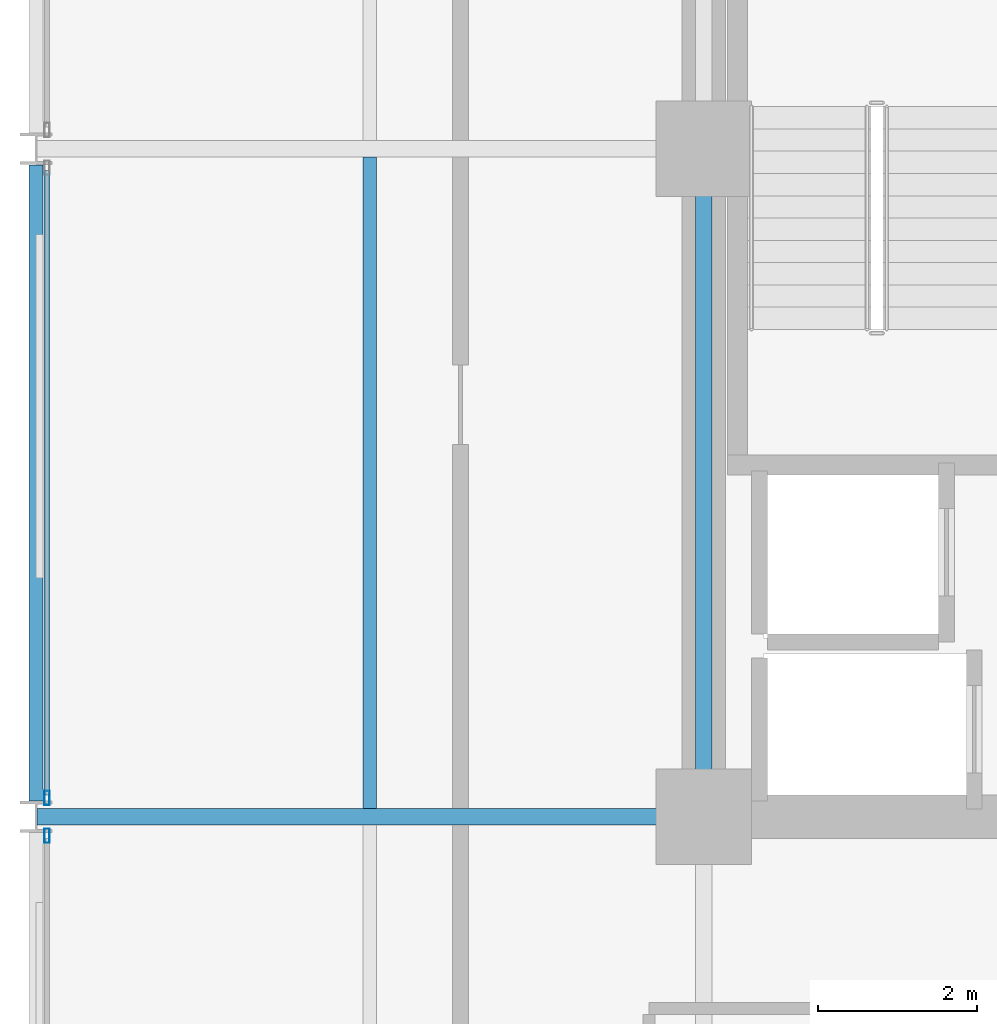
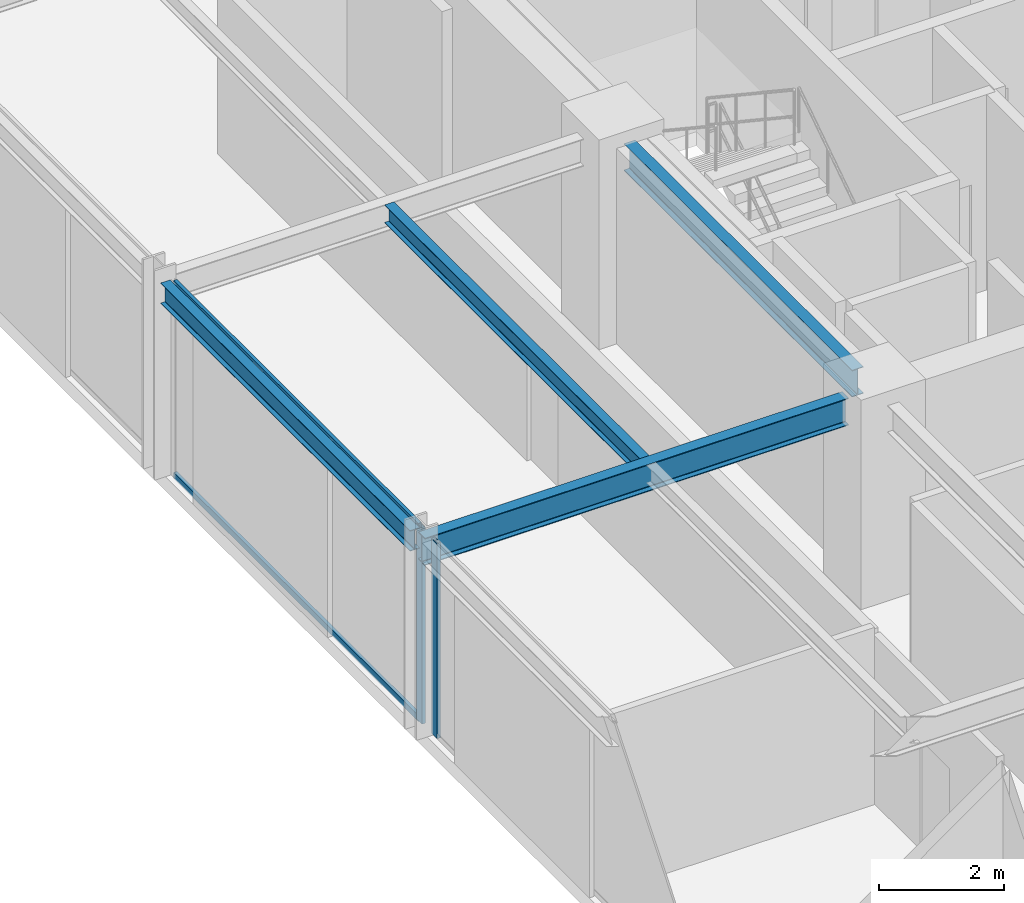
# One storey, part 10 of 29: 4 beams, 4 members, 2 elements without a shape of their own.
"""IFC4 building model written with IfcOpenShell, lengths in metres."""

from ifc_helpers import new_model, si_unit, direction, frame, origin, origin_2d, place, context, subcontext, project, spatial, hollow_rectangle, i_section, extrude, material, layer, layer_set, material_profile, profile_set, type_object, element, aggregate, save


model = new_model("IFC4")

# Units and contexts
model_context = context("Model", 3, precision=1e-05, world=origin(), true_north=direction((0.0, 1.0)))
body_context = subcontext(model_context, "Body", "Model", "MODEL_VIEW")
ifc_project = project(units=[si_unit("LENGTHUNIT", "METRE"), si_unit("AREAUNIT", "SQUARE_METRE"), si_unit("VOLUMEUNIT", "CUBIC_METRE"), si_unit("PLANEANGLEUNIT", "RADIAN"), si_unit("MASSUNIT", "GRAM", prefix="KILO")], contexts=[model_context])

# Site, building, storey
site_placement = place(None, origin())
site = spatial("IfcSite", under=ifc_project, at=site_placement, CompositionType="ELEMENT")
building_placement = place(site_placement, origin())
building = spatial("IfcBuilding", under=site, at=building_placement, Name="Nerrivon Quay Data Exchange", CompositionType="ELEMENT")
storey_placement = place(building_placement, frame((0.0, 0.0, 145.89990234375)))
storey = spatial("IfcBuildingStorey", under=building, at=storey_placement, Name="L34", CompositionType="ELEMENT", Elevation=145.89990234375)

# Beams
ifc_material_1 = material(Name="Steel Grade 350", Category="steel")
ifc_material_profile_1 = material_profile(ifc_material_1, i_section(OverallWidth=0.208984375, OverallDepth=0.532958984375, WebThickness=0.01025390625, FlangeThickness=0.015625, FilletRadius=0.013916015625, at=origin_2d()), Name="530UB92.4")
ifc_profile_set_1 = profile_set([ifc_material_profile_1], Name="Steel Grade 350")
beam_type_1 = type_object("IfcBeamType", Name="BM-G3-530UB92", PredefinedType="BEAM", material=ifc_profile_set_1)
beam_1_placement = place(storey_placement, frame((0.012451171875, 25.199951171875, 3.55859375), z_axis=(1.0, 0.0, 0.0), x_axis=(0.0, 1.0, 0.0)))
element("IfcBeam", 1, at=beam_1_placement, inside=storey, type_object=beam_type_1, Name="L34 EW Girder Y=25.2 (0.0..8.4)", PredefinedType="BEAM", context=body_context, shape_type="SweptSolid", body=[
    extrude(i_section(OverallWidth=0.208984375, OverallDepth=0.532958984375, WebThickness=0.01025390625, FlangeThickness=0.015625, FilletRadius=0.013916015625, at=origin_2d()), origin(), (0.0, 0.0, 1.0), 7.84765625),
])
ifc_material_profile_2 = material_profile(ifc_material_1, i_section(OverallWidth=0.208984375, OverallDepth=0.528076171875, WebThickness=0.009521484375, FlangeThickness=0.01318359375, FilletRadius=0.013916015625, at=origin_2d()), Name="530UB82.0")
ifc_profile_set_2 = profile_set([ifc_material_profile_2], Name="Steel Grade 350")
beam_type_2 = type_object("IfcBeamType", Name="BM-G4-530UB82", PredefinedType="BEAM", material=ifc_profile_set_2)
beam_2_placement = place(storey_placement, frame((8.39990234375, 25.739990234375, 3.56103515625), z_axis=(0.0, 1.0, 0.0), x_axis=(-1.0, 0.0, 0.0)))
element("IfcBeam", 2, at=beam_2_placement, inside=storey, type_object=beam_type_2, Name="L34 NS Girder X=8.4 (25.2..33.6)", PredefinedType="BEAM", context=body_context, shape_type="SweptSolid", body=[
    extrude(i_section(OverallWidth=0.208984375, OverallDepth=0.528076171875, WebThickness=0.009521484375, FlangeThickness=0.01318359375, FilletRadius=0.013916015625, at=origin_2d()), origin(), (0.0, 0.0, 1.0), 7.320068359375),
])
ifc_material_profile_3 = material_profile(ifc_material_1, i_section(OverallWidth=0.1708984375, OverallDepth=0.35595703125, WebThickness=0.00732421875, FlangeThickness=0.011474609375, FilletRadius=0.011474609375, at=origin_2d()), Name="360UB50.7")
ifc_profile_set_3 = profile_set([ifc_material_profile_3], Name="Steel Grade 350")
beam_type_3 = type_object("IfcBeamType", Name="BM-J4-360UB51", PredefinedType="JOIST", material=ifc_profile_set_3)
beam_3_placement = place(storey_placement, frame((4.199951171875, 25.304443359375, 3.647216796875), z_axis=(0.0, 1.0, 0.0), x_axis=(-1.0, 0.0, 0.0)))
element("IfcBeam", 3, at=beam_3_placement, inside=storey, type_object=beam_type_3, Name="L34 Secondary Joist X=4.2 (25.2..33.6)", PredefinedType="JOIST", context=body_context, shape_type="SweptSolid", body=[
    extrude(i_section(OverallWidth=0.1708984375, OverallDepth=0.35595703125, WebThickness=0.00732421875, FlangeThickness=0.011474609375, FilletRadius=0.011474609375, at=origin_2d()), origin(), (0.0, 0.0, 1.0), 8.191162109375),
])
ifc_material_profile_4 = material_profile(ifc_material_1, i_section(OverallWidth=0.177978515625, OverallDepth=0.403076171875, WebThickness=0.007568359375, FlangeThickness=0.010986328125, FilletRadius=0.011474609375, at=origin_2d()), Name="410UB53.7")
ifc_profile_set_4 = profile_set([ifc_material_profile_4], Name="Steel Grade 350")
beam_type_4 = type_object("IfcBeamType", Name="BM-SP2-410UB54", PredefinedType="SPANDREL", material=ifc_profile_set_4)
beam_4_placement = place(storey_placement, frame((0.0, 25.39990234375, 3.62353515625), z_axis=(0.0, 1.0, 0.0), x_axis=(-1.0, 0.0, 0.0)))
element("IfcBeam", 4, at=beam_4_placement, inside=storey, type_object=beam_type_4, Name="L34 NS Girder X=0.0 (25.2..33.6)", PredefinedType="SPANDREL", context=body_context, shape_type="SweptSolid", body=[
    extrude(i_section(OverallWidth=0.177978515625, OverallDepth=0.403076171875, WebThickness=0.007568359375, FlangeThickness=0.010986328125, FilletRadius=0.011474609375, at=origin_2d()), origin(), (0.0, 0.0, 1.0), 8.0),
])

# Curtain wall, member
ifc_material_2 = material(Name="Anodised aluminium 6063-T6", Category="aluminium")
ifc_layer = layer(ifc_material_2, 0.2099609375)
ifc_layer_set = layer_set([ifc_layer], Name="Anodised aluminium 6063-T6")
curtain_wall_type = type_object("IfcCurtainWallType", Name="CW-SYS-02", PredefinedType="NOTDEFINED", material=ifc_layer_set)
curtain_wall_1_placement = place(storey_placement, origin())
curtain_wall_1 = element("IfcCurtainWall", 5, at=curtain_wall_1_placement, inside=storey, type_object=curtain_wall_type, Name="L34 Unitised Curtain Wall 13", PredefinedType="NOTDEFINED")
ifc_material_profile_5 = material_profile(ifc_material_2, hollow_rectangle(XDim=0.06494140625, YDim=0.179931640625, WallThickness=0.00341796875, at=origin_2d()), Name="ALU-MULL-180x65")
ifc_profile_set_5 = profile_set([ifc_material_profile_5], Name="Anodised aluminium 6063-T6")
member_type_1 = type_object("IfcMemberType", Name="CWM-180x65", PredefinedType="MULLION", material=ifc_profile_set_5)
member_1_placement = place(storey_placement, frame((0.139892578125, 24.96240234375, 0.0), z_axis=(0.0, 0.0, 1.0), x_axis=(-1.0, 0.0, 0.0)))
member_1 = element("IfcMember", 6, at=member_1_placement, type_object=member_type_1, Name="CW02 mullion 2", PredefinedType="MULLION", context=body_context, shape_type="SweptSolid", body=[
    extrude(hollow_rectangle(XDim=0.06494140625, YDim=0.179931640625, WallThickness=0.00341796875, at=origin_2d()), origin(), (0.0, 0.0, 1.0), 3.8251953125),
])
aggregate(curtain_wall_1, [member_1])

# Curtain wall, members
curtain_wall_2_placement = place(storey_placement, origin())
curtain_wall_2 = element("IfcCurtainWall", 7, at=curtain_wall_2_placement, inside=storey, type_object=curtain_wall_type, Name="L34 Unitised Curtain Wall 14", PredefinedType="NOTDEFINED")
member_2_placement = place(storey_placement, frame((0.139892578125, 25.4375, 0.0), z_axis=(0.0, 0.0, 1.0), x_axis=(-1.0, 0.0, 0.0)))
member_2 = element("IfcMember", 8, at=member_2_placement, type_object=member_type_1, Name="CW02 mullion 1", PredefinedType="MULLION", context=body_context, shape_type="SweptSolid", body=[
    extrude(hollow_rectangle(XDim=0.06494140625, YDim=0.179931640625, WallThickness=0.00341796875, at=origin_2d()), origin(), (0.0, 0.0, 1.0), 3.8251953125),
])
ifc_material_profile_6 = material_profile(ifc_material_2, hollow_rectangle(XDim=0.06005859375, YDim=0.1201171875, WallThickness=0.003173828125, at=origin_2d()), Name="ALU-TRAN-120x60")
ifc_profile_set_6 = profile_set([ifc_material_profile_6], Name="Anodised aluminium 6063-T6")
member_type_2 = type_object("IfcMemberType", Name="CWT-120x60", PredefinedType="USERDEFINED", material=ifc_profile_set_6)
member_3_placement = place(storey_placement, frame((0.139892578125, 25.47509765625, 0.03271484375), z_axis=(0.0, 1.0, 0.0), x_axis=(-1.0, 0.0, 0.0)))
member_3 = element("IfcMember", 9, at=member_3_placement, type_object=member_type_2, Name="CW02 transom 1.1", ObjectType="TRANSOM", PredefinedType="USERDEFINED", context=body_context, shape_type="SweptSolid", body=[
    extrude(hollow_rectangle(XDim=0.06005859375, YDim=0.1201171875, WallThickness=0.003173828125, at=origin_2d()), origin(), (0.0, 0.0, 1.0), 7.849853515625),
])
member_4_placement = place(storey_placement, frame((0.139892578125, 25.47509765625, 3.79248046875), z_axis=(0.0, 1.0, 0.0), x_axis=(-1.0, 0.0, 0.0)))
member_4 = element("IfcMember", 10, at=member_4_placement, type_object=member_type_2, Name="CW02 transom 1.2", ObjectType="TRANSOM", PredefinedType="USERDEFINED", context=body_context, shape_type="SweptSolid", body=[
    extrude(hollow_rectangle(XDim=0.06005859375, YDim=0.1201171875, WallThickness=0.003173828125, at=origin_2d()), origin(), (0.0, 0.0, 1.0), 7.849853515625),
])
aggregate(curtain_wall_2, [member_2, member_3, member_4])

save(model, "model.ifc")
